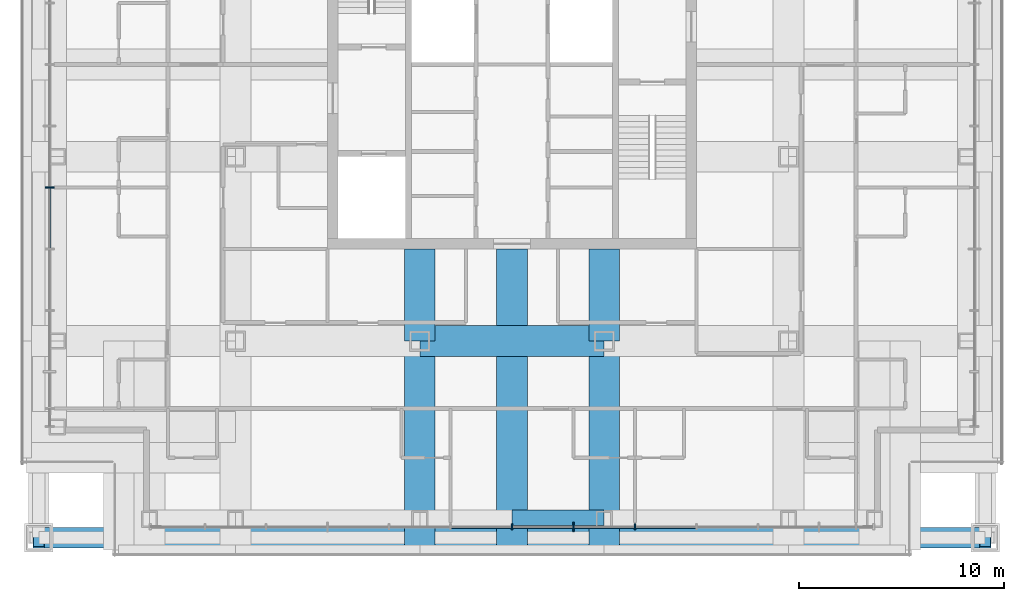
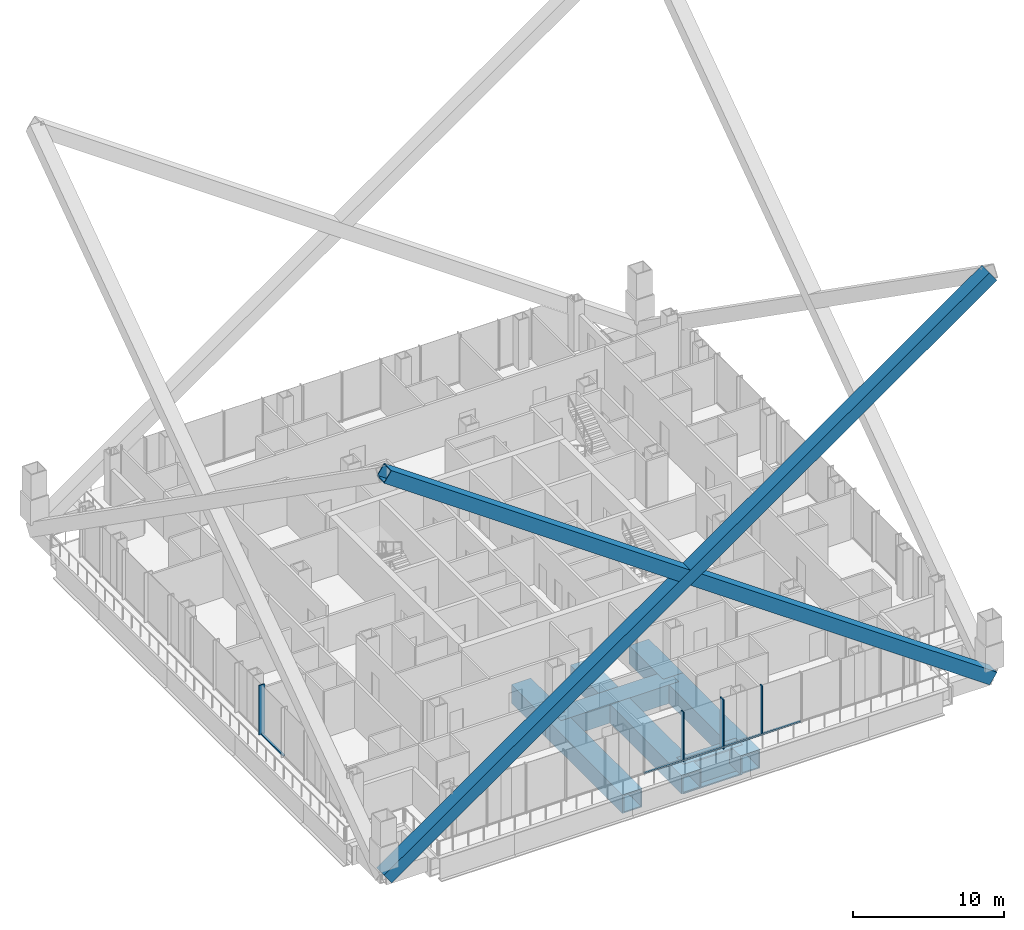
# One storey, part 3 of 18: 11 members, 7 beams, 2 elements without a shape of their own.
"""IFC4 building model written with IfcOpenShell, lengths in metres."""

from ifc_helpers import new_model, si_unit, direction, frame, origin, origin_2d, place, context, subcontext, project, spatial, rectangle, hollow_rectangle, i_section, extrude, material, layer, layer_set, material_profile, profile_set, type_object, element, aggregate, save


model = new_model("IFC4")

# Units and contexts
model_context = context("Model", 3, precision=1e-05, world=origin(), true_north=direction((0.0, 1.0)))
body_context = subcontext(model_context, "Body", "Model", "MODEL_VIEW")
ifc_project = project(units=[si_unit("LENGTHUNIT", "METRE"), si_unit("AREAUNIT", "SQUARE_METRE"), si_unit("VOLUMEUNIT", "CUBIC_METRE"), si_unit("PLANEANGLEUNIT", "RADIAN"), si_unit("MASSUNIT", "GRAM", prefix="KILO")], contexts=[model_context])

# Site, building, storey
site_placement = place(None, origin())
site = spatial("IfcSite", under=ifc_project, at=site_placement, CompositionType="ELEMENT")
building_placement = place(site_placement, origin())
building = spatial("IfcBuilding", under=site, at=building_placement, Name="Malebo Sky Hospital", CompositionType="ELEMENT")
storey_placement = place(building_placement, frame((0.0, 0.0, 177.0)))
storey = spatial("IfcBuildingStorey", under=building, at=storey_placement, Name="L42", CompositionType="ELEMENT", Elevation=177.0)

# Curtain wall, member
ifc_material_1 = material(Name="Anodised aluminium, natural silver", Category="aluminium")
ifc_layer_1 = layer(ifc_material_1, 0.25)
ifc_layer_set_1 = layer_set([ifc_layer_1], Name="WARD CURTAIN WALL EAST AND WEST")
curtain_wall_type_1 = type_object("IfcCurtainWallType", Name="WARD CURTAIN WALL EAST AND WEST", PredefinedType="NOTDEFINED", material=ifc_layer_set_1)
curtain_wall_1_placement = place(storey_placement, origin())
curtain_wall_1 = element("IfcCurtainWall", 1, at=curtain_wall_1_placement, inside=storey, type_object=curtain_wall_type_1, Name="EW curtain wall W", PredefinedType="NOTDEFINED")
ifc_material_profile_1 = material_profile(ifc_material_1, rectangle(XDim=0.14990234375, YDim=0.10009765625, at=origin_2d()), Name="ALUMINIUM TRANSOM 150x100")
ifc_profile_set_1 = profile_set([ifc_material_profile_1], Name="Anodised aluminium, natural silver")
member_type_1 = type_object("IfcMemberType", Name="ALUMINIUM TRANSOM 150x100", PredefinedType="USERDEFINED", material=ifc_profile_set_1)
member_1_placement = place(storey_placement, frame((37.425048828125, 53.03759765625, 0.050048828125), z_axis=(0.0, 1.0, 0.0), x_axis=(-1.0, 0.0, 0.0)))
member_1 = element("IfcMember", 2, at=member_1_placement, type_object=member_type_1, Name="Transom 5", ObjectType="TRANSOM", PredefinedType="USERDEFINED", context=body_context, shape_type="SweptSolid", body=[
    extrude(rectangle(XDim=0.14990234375, YDim=0.10009765625, at=origin_2d()), origin(), (0.0, 0.0, 1.0), 2.9248046875),
])

# Curtain wall, members
ifc_layer_2 = layer(ifc_material_1, 0.25)
ifc_layer_set_2 = layer_set([ifc_layer_2], Name="WARD CURTAIN WALL NORTH AND SOUTH")
curtain_wall_type_2 = type_object("IfcCurtainWallType", Name="WARD CURTAIN WALL NORTH AND SOUTH", PredefinedType="NOTDEFINED", material=ifc_layer_set_2)
curtain_wall_2_placement = place(storey_placement, origin())
curtain_wall_2 = element("IfcCurtainWall", 3, at=curtain_wall_2_placement, inside=storey, type_object=curtain_wall_type_2, Name="NS curtain wall S", PredefinedType="NOTDEFINED")
member_2_placement = place(storey_placement, frame((68.96240234375, 39.425048828125, 0.050048828125), z_axis=(-1.0, 0.0, 0.0), x_axis=(0.0, -1.0, 0.0)))
member_2 = element("IfcMember", 4, at=member_2_placement, type_object=member_type_1, Name="Transom 5", ObjectType="TRANSOM", PredefinedType="USERDEFINED", context=body_context, shape_type="SweptSolid", body=[
    extrude(rectangle(XDim=0.14990234375, YDim=0.10009765625, at=origin_2d()), origin(), (0.0, 0.0, 1.0), 2.9248046875),
])
member_3_placement = place(storey_placement, frame((65.96240234375, 39.425048828125, 0.050048828125), z_axis=(-1.0, 0.0, 0.0), x_axis=(0.0, -1.0, 0.0)))
member_3 = element("IfcMember", 5, at=member_3_placement, type_object=member_type_1, Name="Transom 6", ObjectType="TRANSOM", PredefinedType="USERDEFINED", context=body_context, shape_type="SweptSolid", body=[
    extrude(rectangle(XDim=0.14990234375, YDim=0.10009765625, at=origin_2d()), origin(), (0.0, 0.0, 1.0), 2.9248046875),
])
member_4_placement = place(storey_placement, frame((62.96240234375, 39.425048828125, 0.050048828125), z_axis=(-1.0, 0.0, 0.0), x_axis=(0.0, -1.0, 0.0)))
member_4 = element("IfcMember", 6, at=member_4_placement, type_object=member_type_1, Name="Transom 7", ObjectType="TRANSOM", PredefinedType="USERDEFINED", context=body_context, shape_type="SweptSolid", body=[
    extrude(rectangle(XDim=0.14990234375, YDim=0.10009765625, at=origin_2d()), origin(), (0.0, 0.0, 1.0), 2.9248046875),
])
member_5_placement = place(storey_placement, frame((59.96240234375, 39.425048828125, 0.050048828125), z_axis=(-1.0, 0.0, 0.0), x_axis=(0.0, -1.0, 0.0)))
member_5 = element("IfcMember", 7, at=member_5_placement, type_object=member_type_1, Name="Transom 8", ObjectType="TRANSOM", PredefinedType="USERDEFINED", context=body_context, shape_type="SweptSolid", body=[
    extrude(rectangle(XDim=0.14990234375, YDim=0.10009765625, at=origin_2d()), origin(), (0.0, 0.0, 1.0), 2.9248046875),
])
ifc_material_profile_2 = material_profile(ifc_material_1, rectangle(XDim=0.074951171875, YDim=0.300048828125, at=origin_2d()), Name="CW1 ALUMINIUM FIN MULLION 75x300")
ifc_profile_set_2 = profile_set([ifc_material_profile_2], Name="Anodised aluminium, natural silver")
member_type_2 = type_object("IfcMemberType", Name="CW1 ALUMINIUM FIN MULLION 75x300", PredefinedType="MULLION", material=ifc_profile_set_2)
member_6_placement = place(storey_placement, frame((66.0, 39.425048828125, 0.0), z_axis=(0.0, 0.0, 1.0), x_axis=(-1.0, 0.0, 0.0)))
member_6 = element("IfcMember", 8, at=member_6_placement, type_object=member_type_2, Name="Fin mullion 6", PredefinedType="MULLION", context=body_context, shape_type="SweptSolid", body=[
    extrude(rectangle(XDim=0.074951171875, YDim=0.300048828125, at=origin_2d()), origin(), (0.0, 0.0, 1.0), 4.0),
])
member_7_placement = place(storey_placement, frame((60.0, 39.425048828125, 0.0), z_axis=(0.0, 0.0, 1.0), x_axis=(-1.0, 0.0, 0.0)))
member_7 = element("IfcMember", 9, at=member_7_placement, type_object=member_type_2, Name="Fin mullion 8", PredefinedType="MULLION", context=body_context, shape_type="SweptSolid", body=[
    extrude(rectangle(XDim=0.074951171875, YDim=0.300048828125, at=origin_2d()), origin(), (0.0, 0.0, 1.0), 4.0),
])
ifc_material_profile_3 = material_profile(ifc_material_1, rectangle(XDim=0.074951171875, YDim=0.449951171875, at=origin_2d()), Name="CW1 ALUMINIUM FIN MULLION 75x450")
ifc_profile_set_3 = profile_set([ifc_material_profile_3], Name="Anodised aluminium, natural silver")
member_type_3 = type_object("IfcMemberType", Name="CW1 ALUMINIUM FIN MULLION 75x450", PredefinedType="MULLION", material=ifc_profile_set_3)
member_8_placement = place(storey_placement, frame((63.0, 39.425048828125, 0.0), z_axis=(0.0, 0.0, 1.0), x_axis=(-1.0, 0.0, 0.0)))
member_8 = element("IfcMember", 10, at=member_8_placement, type_object=member_type_3, Name="Fin mullion 7", PredefinedType="MULLION", context=body_context, shape_type="SweptSolid", body=[
    extrude(rectangle(XDim=0.074951171875, YDim=0.449951171875, at=origin_2d()), origin(), (0.0, 0.0, 1.0), 4.0),
])
aggregate(curtain_wall_2, [member_6, member_8, member_7, member_2, member_3, member_4, member_5])

# Member
ifc_material_profile_4 = material_profile(ifc_material_1, rectangle(XDim=0.074951171875, YDim=0.449951171875, at=origin_2d()), Name="CW2 ALUMINIUM FIN MULLION 75x450")
ifc_profile_set_4 = profile_set([ifc_material_profile_4], Name="Anodised aluminium, natural silver")
member_type_4 = type_object("IfcMemberType", Name="CW2 ALUMINIUM FIN MULLION 75x450", PredefinedType="MULLION", material=ifc_profile_set_4)
member_9_placement = place(storey_placement, frame((37.425048828125, 56.0, 0.0), z_axis=(0.0, 0.0, 1.0), x_axis=(0.0, 1.0, 0.0)))
member_9 = element("IfcMember", 11, at=member_9_placement, type_object=member_type_4, Name="Fin mullion 6", PredefinedType="MULLION", context=body_context, shape_type="SweptSolid", body=[
    extrude(rectangle(XDim=0.074951171875, YDim=0.449951171875, at=origin_2d()), origin(), (0.0, 0.0, 1.0), 4.0),
])

aggregate(curtain_wall_1, [member_9, member_1])

# Members
ifc_material_2 = material(Name="Steel S460", Category="steel")
ifc_material_profile_5 = material_profile(ifc_material_2, hollow_rectangle(XDim=1.0, YDim=1.0, WallThickness=0.06005859375, at=origin_2d()), Name="BOX 1000x1000x60")
ifc_profile_set_5 = profile_set([ifc_material_profile_5], Name="Steel S460")
member_type_5 = type_object("IfcMemberType", Name="MEGA BRACE BOX 1000x1000x60", PredefinedType="BRACE", material=ifc_profile_set_5)
for number, where, z_axis, x_axis, name in (
    (12, (36.89990234375, 38.89990234375, -0.85009765625), (0.818315050894, 0.0, 0.574769934392), (0.0, 1.0, 0.0), "Mega brace C1S1 L42-L50"),
    (13, (83.10009765625, 38.89990234375, -0.85009765625), (-0.818315050894, 0.0, 0.574769934392), (0.0, -1.0, 0.0), "Mega brace C1S2 L42-L50"),
):
    element("IfcMember", number, at=place(storey_placement, frame(where, z_axis=z_axis, x_axis=x_axis)), inside=storey, type_object=member_type_5, Name=name, PredefinedType="BRACE", context=body_context, shape_type="SweptSolid", body=[
        extrude(hollow_rectangle(XDim=1.0, YDim=1.0, WallThickness=0.06005859375, at=origin_2d()), origin(), (0.0, 0.0, 1.0), 56.457763671875),
    ])

# Beams
ifc_material_profile_6 = material_profile(ifc_material_2, hollow_rectangle(XDim=1.5, YDim=1.5, WallThickness=0.10009765625, at=origin_2d()), Name="BOX 1500x1500x100")
ifc_profile_set_6 = profile_set([ifc_material_profile_6], Name="Steel S460")
beam_type_1 = type_object("IfcBeamType", Name="TRANSFER GIRDER BOX 1500x1500x100", PredefinedType="BEAM", material=ifc_profile_set_6)
beam_1_placement = place(storey_placement, frame((55.5, 38.300048828125, -1.0), z_axis=(0.0, 1.0, 0.0), x_axis=(-1.0, 0.0, 0.0)))
element("IfcBeam", 14, at=beam_1_placement, inside=storey, type_object=beam_type_1, Name="Beam 015 L42", PredefinedType="BEAM", context=body_context, shape_type="SweptSolid", body=[
    extrude(hollow_rectangle(XDim=1.5, YDim=1.5, WallThickness=0.10009765625, at=origin_2d()), origin(), (0.0, 0.0, 1.0), 10.199951171875),
])
beam_2_placement = place(storey_placement, frame((55.5, 48.5, -1.0), z_axis=(0.0, 1.0, 0.0), x_axis=(-1.0, 0.0, 0.0)))
element("IfcBeam", 15, at=beam_2_placement, inside=storey, type_object=beam_type_1, Name="Beam 016 L42", PredefinedType="BEAM", context=body_context, shape_type="SweptSolid", body=[
    extrude(hollow_rectangle(XDim=1.5, YDim=1.5, WallThickness=0.10009765625, at=origin_2d()), origin(), (0.0, 0.0, 1.0), 4.5),
])
beam_3_placement = place(storey_placement, frame((64.5, 38.300048828125, -1.0), z_axis=(0.0, 1.0, 0.0), x_axis=(-1.0, 0.0, 0.0)))
element("IfcBeam", 16, at=beam_3_placement, inside=storey, type_object=beam_type_1, Name="Beam 021 L42", PredefinedType="BEAM", context=body_context, shape_type="SweptSolid", body=[
    extrude(hollow_rectangle(XDim=1.5, YDim=1.5, WallThickness=0.10009765625, at=origin_2d()), origin(), (0.0, 0.0, 1.0), 10.199951171875),
])
beam_4_placement = place(storey_placement, frame((64.5, 48.5, -1.0), z_axis=(0.0, 1.0, 0.0), x_axis=(-1.0, 0.0, 0.0)))
element("IfcBeam", 17, at=beam_4_placement, inside=storey, type_object=beam_type_1, Name="Beam 022 L42", PredefinedType="BEAM", context=body_context, shape_type="SweptSolid", body=[
    extrude(hollow_rectangle(XDim=1.5, YDim=1.5, WallThickness=0.10009765625, at=origin_2d()), origin(), (0.0, 0.0, 1.0), 4.5),
])
beam_5_placement = place(storey_placement, frame((55.5, 48.5, -1.0), z_axis=(1.0, 0.0, 0.0), x_axis=(0.0, 1.0, 0.0)))
element("IfcBeam", 18, at=beam_5_placement, inside=storey, type_object=beam_type_1, Name="Beam 052 L42", PredefinedType="BEAM", context=body_context, shape_type="SweptSolid", body=[
    extrude(hollow_rectangle(XDim=1.5, YDim=1.5, WallThickness=0.10009765625, at=origin_2d()), origin(), (0.0, 0.0, 1.0), 9.0),
])
beam_6_placement = place(storey_placement, frame((60.0, 38.300048828125, -1.0), z_axis=(0.0, 1.0, 0.0), x_axis=(-1.0, 0.0, 0.0)))
element("IfcBeam", 19, at=beam_6_placement, inside=storey, type_object=beam_type_1, Name="Beam 019 L42", PredefinedType="BEAM", context=body_context, shape_type="SweptSolid", body=[
    extrude(hollow_rectangle(XDim=1.5, YDim=1.5, WallThickness=0.10009765625, at=origin_2d()), origin(), (0.0, 0.0, 1.0), 14.699951171875),
])
ifc_material_3 = material(Name="Steel S355", Category="steel")
ifc_material_profile_7 = material_profile(ifc_material_3, i_section(OverallWidth=0.89990234375, OverallDepth=2.39990234375, WebThickness=0.050048828125, FlangeThickness=0.10009765625, at=origin_2d()), Name="PG 2400x900x50x100")
ifc_profile_set_7 = profile_set([ifc_material_profile_7], Name="Steel S355")
beam_type_2 = type_object("IfcBeamType", Name="TRANSFER GIRDER PG 2400x900x50x100", PredefinedType="BEAM", material=ifc_profile_set_7)
beam_7_placement = place(storey_placement, frame((60.0, 39.800048828125, -1.449951171875), z_axis=(1.0, 0.0, 0.0), x_axis=(0.0, 1.0, 0.0)))
element("IfcBeam", 20, at=beam_7_placement, inside=storey, type_object=beam_type_2, Name="Beam 045d L42", PredefinedType="BEAM", context=body_context, shape_type="SweptSolid", body=[
    extrude(i_section(OverallWidth=0.89990234375, OverallDepth=2.39990234375, WebThickness=0.050048828125, FlangeThickness=0.10009765625, at=origin_2d()), origin(), (0.0, 0.0, 1.0), 4.5),
])

save(model, "model.ifc")
